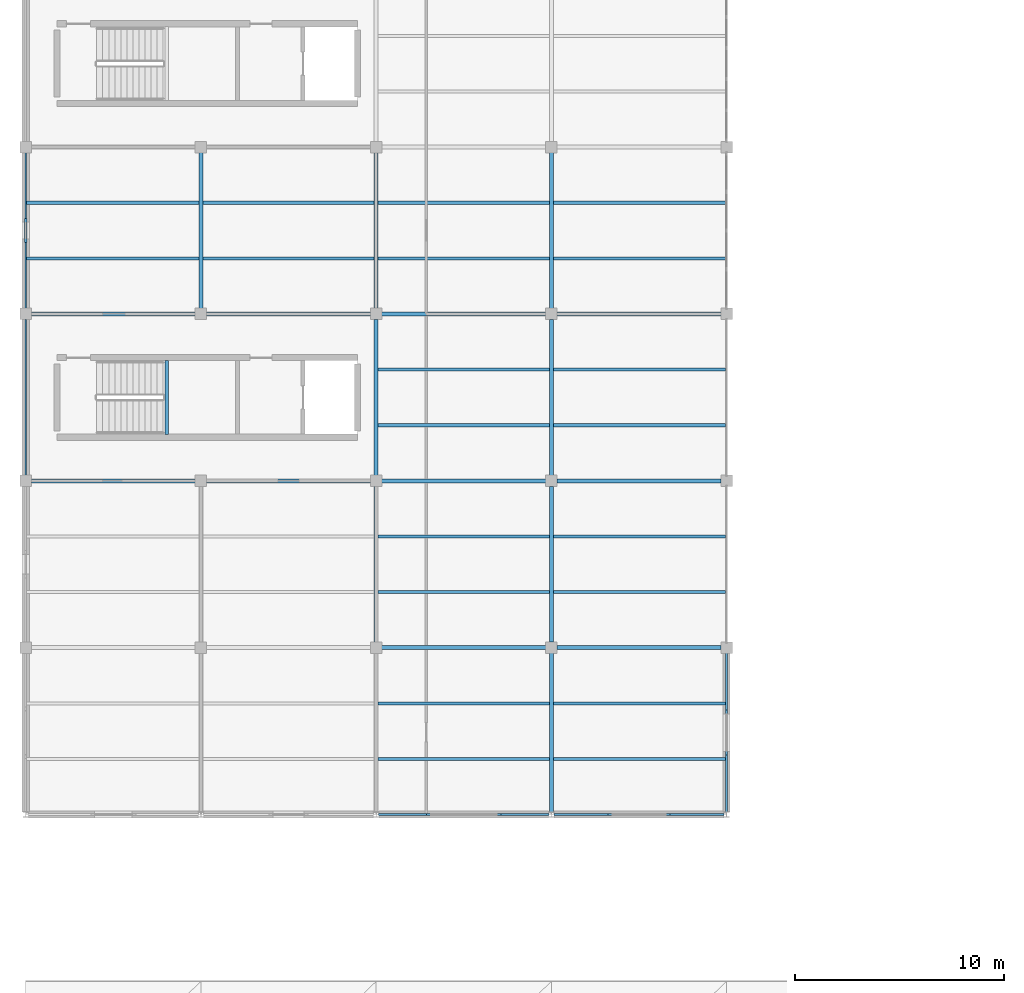
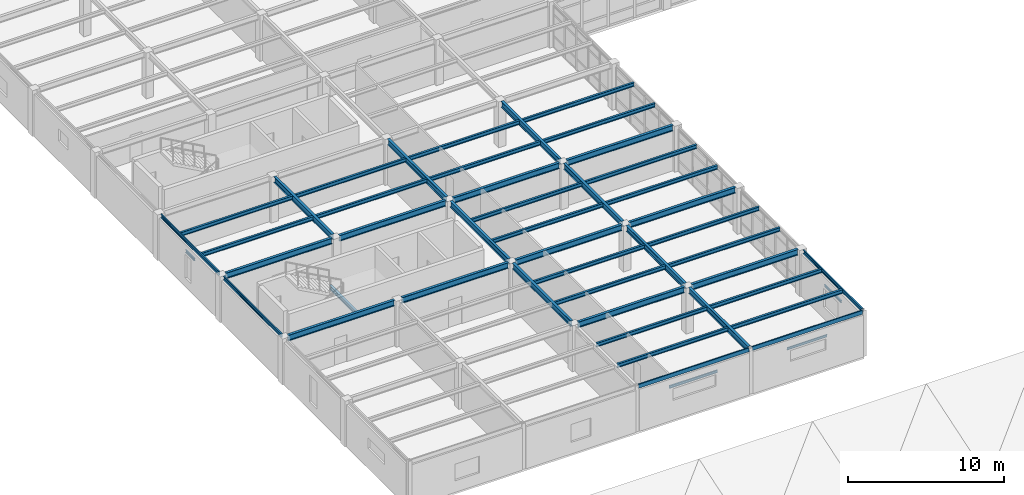
# One storey, part 13 of 53: 48 beams.
"""IFC4 building model written with IfcOpenShell, lengths in metres."""

from ifc_helpers import new_model, si_unit, direction, frame, origin, origin_2d, place, context, subcontext, project, spatial, i_section, u_section, extrude, material, material_profile, profile_set, type_object, element, save


model = new_model("IFC4")

# Units and contexts
model_context = context("Model", 3, precision=1e-05, world=origin(), true_north=direction((0.0, 1.0)))
body_context = subcontext(model_context, "Body", "Model", "MODEL_VIEW")
ifc_project = project(units=[si_unit("LENGTHUNIT", "METRE"), si_unit("AREAUNIT", "SQUARE_METRE"), si_unit("VOLUMEUNIT", "CUBIC_METRE"), si_unit("PLANEANGLEUNIT", "RADIAN"), si_unit("MASSUNIT", "GRAM", prefix="KILO")], contexts=[model_context])

# Site, building, storey
site_placement = place(None, origin())
site = spatial("IfcSite", under=ifc_project, at=site_placement, CompositionType="ELEMENT")
building_placement = place(site_placement, origin())
building = spatial("IfcBuilding", under=site, at=building_placement, Name="Kranzveld Transit Interchange", CompositionType="ELEMENT")
storey_placement = place(building_placement, frame((0.0, 0.0, 13.360107421875)))
storey = spatial("IfcBuildingStorey", under=building, at=storey_placement, Name="L03", CompositionType="ELEMENT", Elevation=13.360107421875)

# Beams
ifc_material_1 = material(Name="Steel S355JR", Category="steel")
ifc_material_profile_1 = material_profile(ifc_material_1, i_section(OverallWidth=0.18994140625, OverallDepth=0.453369140625, WebThickness=0.008544921875, FlangeThickness=0.0126953125, FilletRadius=0.01025390625, at=origin_2d()), Name="UB 457x191x67")
ifc_profile_set_1 = profile_set([ifc_material_profile_1], Name="Steel S355JR")
beam_type_1 = type_object("IfcBeamType", Name="Beam Steel UB 457x191x67 S355JR", PredefinedType="BEAM", material=ifc_profile_set_1)
for number, where, z_axis, x_axis, name in (
    (1, (8.39990234375, 72.264892578125, 3.353271484375), (0.0, 1.0, 0.0), (-1.0, 0.0, 0.0), "L03 Girder 02/K-L"),
    (2, (16.800048828125, 56.264892578125, 3.353271484375), (0.0, 1.0, 0.0), (-1.0, 0.0, 0.0), "L03 Girder 03/H-J"),
    (3, (16.800048828125, 64.264892578125, 3.353271484375), (0.0, 1.0, 0.0), (-1.0, 0.0, 0.0), "L03 Girder 03/J-K"),
    (4, (16.800048828125, 72.264892578125, 3.353271484375), (0.0, 1.0, 0.0), (-1.0, 0.0, 0.0), "L03 Girder 03/K-L"),
):
    element("IfcBeam", number, at=place(storey_placement, frame(where, z_axis=z_axis, x_axis=x_axis)), inside=storey, type_object=beam_type_1, Name=name, PredefinedType="BEAM", context=body_context, shape_type="SweptSolid", body=[
        extrude(i_section(OverallWidth=0.18994140625, OverallDepth=0.453369140625, WebThickness=0.008544921875, FlangeThickness=0.0126953125, FilletRadius=0.01025390625, at=origin_2d()), origin(), (0.0, 0.0, 1.0), 7.47021484375),
    ])
beam_1_placement = place(storey_placement, frame((25.199951171875, 48.1201171875, 3.353271484375), z_axis=(0.0, 1.0, 0.0), x_axis=(-1.0, 0.0, 0.0)))
element("IfcBeam", 5, at=beam_1_placement, inside=storey, type_object=beam_type_1, Name="L03 Girder 04/G-H", PredefinedType="BEAM", context=body_context, shape_type="SweptSolid", body=[
    extrude(i_section(OverallWidth=0.18994140625, OverallDepth=0.453369140625, WebThickness=0.008544921875, FlangeThickness=0.0126953125, FilletRadius=0.01025390625, at=origin_2d()), origin(), (0.0, 0.0, 1.0), 7.614990234375),
])
for number, where, z_axis, x_axis, name in (
    (6, (25.199951171875, 56.264892578125, 3.353271484375), (0.0, 1.0, 0.0), (-1.0, 0.0, 0.0), "L03 Girder 04/H-J"),
    (7, (25.199951171875, 64.264892578125, 3.353271484375), (0.0, 1.0, 0.0), (-1.0, 0.0, 0.0), "L03 Girder 04/J-K"),
    (8, (25.199951171875, 72.264892578125, 3.353271484375), (0.0, 1.0, 0.0), (-1.0, 0.0, 0.0), "L03 Girder 04/K-L"),
):
    element("IfcBeam", number, at=place(storey_placement, frame(where, z_axis=z_axis, x_axis=x_axis)), inside=storey, type_object=beam_type_1, Name=name, PredefinedType="BEAM", context=body_context, shape_type="SweptSolid", body=[
        extrude(i_section(OverallWidth=0.18994140625, OverallDepth=0.453369140625, WebThickness=0.008544921875, FlangeThickness=0.0126953125, FilletRadius=0.01025390625, at=origin_2d()), origin(), (0.0, 0.0, 1.0), 7.47021484375),
    ])
ifc_material_2 = material(Name="Steel S355JR", Category="steel")
ifc_material_profile_2 = material_profile(ifc_material_2, i_section(OverallWidth=0.1904296875, OverallDepth=0.45703125, WebThickness=0.009033203125, FlangeThickness=0.014404296875, FilletRadius=0.01025390625, at=origin_2d()), Name="UB 457x191x74")
ifc_profile_set_2 = profile_set([ifc_material_profile_2], Name="Steel S355JR")
beam_type_2 = type_object("IfcBeamType", Name="Beam Steel UB 457x191x74 S355JR", PredefinedType="BEAM", material=ifc_profile_set_2)
beam_2_placement = place(storey_placement, frame((17.06494140625, 56.0, 3.351318359375), z_axis=(1.0, 0.0, 0.0), x_axis=(0.0, 1.0, 0.0)))
element("IfcBeam", 9, at=beam_2_placement, inside=storey, type_object=beam_type_2, Name="L03 Girder 03-04/H", PredefinedType="BEAM", context=body_context, shape_type="SweptSolid", body=[
    extrude(i_section(OverallWidth=0.1904296875, OverallDepth=0.45703125, WebThickness=0.009033203125, FlangeThickness=0.014404296875, FilletRadius=0.01025390625, at=origin_2d()), origin(), (0.0, 0.0, 1.0), 7.8701171875),
])
beam_3_placement = place(storey_placement, frame((25.465087890625, 56.0, 3.351318359375), z_axis=(1.0, 0.0, 0.0), x_axis=(0.0, 1.0, 0.0)))
element("IfcBeam", 10, at=beam_3_placement, inside=storey, type_object=beam_type_2, Name="L03 Girder 04-05/H", PredefinedType="BEAM", context=body_context, shape_type="SweptSolid", body=[
    extrude(i_section(OverallWidth=0.1904296875, OverallDepth=0.45703125, WebThickness=0.009033203125, FlangeThickness=0.014404296875, FilletRadius=0.01025390625, at=origin_2d()), origin(), (0.0, 0.0, 1.0), 7.869873046875),
])
beam_4_placement = place(storey_placement, frame((0.264892578125, 64.0, 3.351318359375), z_axis=(1.0, 0.0, 0.0), x_axis=(0.0, 1.0, 0.0)))
element("IfcBeam", 11, at=beam_4_placement, inside=storey, type_object=beam_type_2, Name="L03 Girder 01-02/J", PredefinedType="BEAM", context=body_context, shape_type="SweptSolid", body=[
    extrude(i_section(OverallWidth=0.1904296875, OverallDepth=0.45703125, WebThickness=0.009033203125, FlangeThickness=0.014404296875, FilletRadius=0.01025390625, at=origin_2d()), origin(), (0.0, 0.0, 1.0), 7.8701171875),
])
beam_5_placement = place(storey_placement, frame((8.6650390625, 64.0, 3.351318359375), z_axis=(1.0, 0.0, 0.0), x_axis=(0.0, 1.0, 0.0)))
element("IfcBeam", 12, at=beam_5_placement, inside=storey, type_object=beam_type_2, Name="L03 Girder 02-03/J", PredefinedType="BEAM", context=body_context, shape_type="SweptSolid", body=[
    extrude(i_section(OverallWidth=0.1904296875, OverallDepth=0.45703125, WebThickness=0.009033203125, FlangeThickness=0.014404296875, FilletRadius=0.01025390625, at=origin_2d()), origin(), (0.0, 0.0, 1.0), 7.869873046875),
])
beam_6_placement = place(storey_placement, frame((17.06494140625, 64.0, 3.351318359375), z_axis=(1.0, 0.0, 0.0), x_axis=(0.0, 1.0, 0.0)))
element("IfcBeam", 13, at=beam_6_placement, inside=storey, type_object=beam_type_2, Name="L03 Girder 03-04/J", PredefinedType="BEAM", context=body_context, shape_type="SweptSolid", body=[
    extrude(i_section(OverallWidth=0.1904296875, OverallDepth=0.45703125, WebThickness=0.009033203125, FlangeThickness=0.014404296875, FilletRadius=0.01025390625, at=origin_2d()), origin(), (0.0, 0.0, 1.0), 7.8701171875),
])
beam_7_placement = place(storey_placement, frame((25.465087890625, 64.0, 3.351318359375), z_axis=(1.0, 0.0, 0.0), x_axis=(0.0, 1.0, 0.0)))
element("IfcBeam", 14, at=beam_7_placement, inside=storey, type_object=beam_type_2, Name="L03 Girder 04-05/J", PredefinedType="BEAM", context=body_context, shape_type="SweptSolid", body=[
    extrude(i_section(OverallWidth=0.1904296875, OverallDepth=0.45703125, WebThickness=0.009033203125, FlangeThickness=0.014404296875, FilletRadius=0.01025390625, at=origin_2d()), origin(), (0.0, 0.0, 1.0), 7.869873046875),
])
beam_8_placement = place(storey_placement, frame((0.264892578125, 72.0, 3.351318359375), z_axis=(1.0, 0.0, 0.0), x_axis=(0.0, 1.0, 0.0)))
element("IfcBeam", 15, at=beam_8_placement, inside=storey, type_object=beam_type_2, Name="L03 Girder 01-02/K", PredefinedType="BEAM", context=body_context, shape_type="SweptSolid", body=[
    extrude(i_section(OverallWidth=0.1904296875, OverallDepth=0.45703125, WebThickness=0.009033203125, FlangeThickness=0.014404296875, FilletRadius=0.01025390625, at=origin_2d()), origin(), (0.0, 0.0, 1.0), 7.8701171875),
])
beam_9_placement = place(storey_placement, frame((8.6650390625, 72.0, 3.351318359375), z_axis=(1.0, 0.0, 0.0), x_axis=(0.0, 1.0, 0.0)))
element("IfcBeam", 16, at=beam_9_placement, inside=storey, type_object=beam_type_2, Name="L03 Girder 02-03/K", PredefinedType="BEAM", context=body_context, shape_type="SweptSolid", body=[
    extrude(i_section(OverallWidth=0.1904296875, OverallDepth=0.45703125, WebThickness=0.009033203125, FlangeThickness=0.014404296875, FilletRadius=0.01025390625, at=origin_2d()), origin(), (0.0, 0.0, 1.0), 7.869873046875),
])
beam_10_placement = place(storey_placement, frame((17.06494140625, 72.0, 3.351318359375), z_axis=(1.0, 0.0, 0.0), x_axis=(0.0, 1.0, 0.0)))
element("IfcBeam", 17, at=beam_10_placement, inside=storey, type_object=beam_type_2, Name="L03 Girder 03-04/K", PredefinedType="BEAM", context=body_context, shape_type="SweptSolid", body=[
    extrude(i_section(OverallWidth=0.1904296875, OverallDepth=0.45703125, WebThickness=0.009033203125, FlangeThickness=0.014404296875, FilletRadius=0.01025390625, at=origin_2d()), origin(), (0.0, 0.0, 1.0), 7.8701171875),
])
beam_11_placement = place(storey_placement, frame((25.465087890625, 72.0, 3.351318359375), z_axis=(1.0, 0.0, 0.0), x_axis=(0.0, 1.0, 0.0)))
element("IfcBeam", 18, at=beam_11_placement, inside=storey, type_object=beam_type_2, Name="L03 Girder 04-05/K", PredefinedType="BEAM", context=body_context, shape_type="SweptSolid", body=[
    extrude(i_section(OverallWidth=0.1904296875, OverallDepth=0.45703125, WebThickness=0.009033203125, FlangeThickness=0.014404296875, FilletRadius=0.01025390625, at=origin_2d()), origin(), (0.0, 0.0, 1.0), 7.869873046875),
])
ifc_material_3 = material(Name="Steel S355JR", Category="steel")
ifc_material_profile_3 = material_profile(ifc_material_3, i_section(OverallWidth=0.14990234375, OverallDepth=0.300048828125, WebThickness=0.007080078125, FlangeThickness=0.0107421875, FilletRadius=0.014892578125, at=origin_2d()), Name="IPE 300")
ifc_profile_set_3 = profile_set([ifc_material_profile_3], Name="Steel S355JR")
beam_type_3 = type_object("IfcBeamType", Name="Deck Joist IPE 300 S355JR", PredefinedType="JOIST", material=ifc_profile_set_3)
for number, where, z_axis, x_axis, name in (
    (19, (0.047119140625, 74.666748046875, 3.429931640625), (1.0, 0.0, 0.0), (0.0, 1.0, 0.0), "L03 Secondary Joist 01-02/K.1"),
    (20, (0.047119140625, 77.333251953125, 3.429931640625), (1.0, 0.0, 0.0), (0.0, 1.0, 0.0), "L03 Secondary Joist 01-02/K.2"),
):
    element("IfcBeam", number, at=place(storey_placement, frame(where, z_axis=z_axis, x_axis=x_axis)), inside=storey, type_object=beam_type_3, Name=name, PredefinedType="JOIST", context=body_context, shape_type="SweptSolid", body=[
        extrude(i_section(OverallWidth=0.14990234375, OverallDepth=0.300048828125, WebThickness=0.007080078125, FlangeThickness=0.0107421875, FilletRadius=0.014892578125, at=origin_2d()), origin(), (0.0, 0.0, 1.0), 8.255859375),
    ])
for number, where, z_axis, x_axis, name in (
    (21, (8.4970703125, 74.666748046875, 3.429931640625), (1.0, 0.0, 0.0), (0.0, 1.0, 0.0), "L03 Secondary Joist 02-03/K.1"),
    (22, (8.4970703125, 77.333251953125, 3.429931640625), (1.0, 0.0, 0.0), (0.0, 1.0, 0.0), "L03 Secondary Joist 02-03/K.2"),
    (23, (16.89697265625, 50.666748046875, 3.429931640625), (1.0, 0.0, 0.0), (0.0, 1.0, 0.0), "L03 Secondary Joist 03-04/G.1"),
    (24, (16.89697265625, 53.333251953125, 3.429931640625), (1.0, 0.0, 0.0), (0.0, 1.0, 0.0), "L03 Secondary Joist 03-04/G.2"),
    (25, (16.89697265625, 58.666748046875, 3.429931640625), (1.0, 0.0, 0.0), (0.0, 1.0, 0.0), "L03 Secondary Joist 03-04/H.1"),
    (26, (16.89697265625, 61.333251953125, 3.429931640625), (1.0, 0.0, 0.0), (0.0, 1.0, 0.0), "L03 Secondary Joist 03-04/H.2"),
    (27, (16.89697265625, 66.666748046875, 3.429931640625), (1.0, 0.0, 0.0), (0.0, 1.0, 0.0), "L03 Secondary Joist 03-04/J.1"),
    (28, (16.89697265625, 69.333251953125, 3.429931640625), (1.0, 0.0, 0.0), (0.0, 1.0, 0.0), "L03 Secondary Joist 03-04/J.2"),
    (29, (16.89697265625, 74.666748046875, 3.429931640625), (1.0, 0.0, 0.0), (0.0, 1.0, 0.0), "L03 Secondary Joist 03-04/K.1"),
    (30, (16.89697265625, 77.333251953125, 3.429931640625), (1.0, 0.0, 0.0), (0.0, 1.0, 0.0), "L03 Secondary Joist 03-04/K.2"),
):
    element("IfcBeam", number, at=place(storey_placement, frame(where, z_axis=z_axis, x_axis=x_axis)), inside=storey, type_object=beam_type_3, Name=name, PredefinedType="JOIST", context=body_context, shape_type="SweptSolid", body=[
        extrude(i_section(OverallWidth=0.14990234375, OverallDepth=0.300048828125, WebThickness=0.007080078125, FlangeThickness=0.0107421875, FilletRadius=0.014892578125, at=origin_2d()), origin(), (0.0, 0.0, 1.0), 8.2060546875),
    ])
for number, where, z_axis, x_axis, name in (
    (31, (25.296875, 50.666748046875, 3.429931640625), (1.0, 0.0, 0.0), (0.0, 1.0, 0.0), "L03 Secondary Joist 04-05/G.1"),
    (32, (25.296875, 53.333251953125, 3.429931640625), (1.0, 0.0, 0.0), (0.0, 1.0, 0.0), "L03 Secondary Joist 04-05/G.2"),
    (33, (25.296875, 58.666748046875, 3.429931640625), (1.0, 0.0, 0.0), (0.0, 1.0, 0.0), "L03 Secondary Joist 04-05/H.1"),
    (34, (25.296875, 61.333251953125, 3.429931640625), (1.0, 0.0, 0.0), (0.0, 1.0, 0.0), "L03 Secondary Joist 04-05/H.2"),
    (35, (25.296875, 66.666748046875, 3.429931640625), (1.0, 0.0, 0.0), (0.0, 1.0, 0.0), "L03 Secondary Joist 04-05/J.1"),
    (36, (25.296875, 69.333251953125, 3.429931640625), (1.0, 0.0, 0.0), (0.0, 1.0, 0.0), "L03 Secondary Joist 04-05/J.2"),
    (37, (25.296875, 74.666748046875, 3.429931640625), (1.0, 0.0, 0.0), (0.0, 1.0, 0.0), "L03 Secondary Joist 04-05/K.1"),
    (38, (25.296875, 77.333251953125, 3.429931640625), (1.0, 0.0, 0.0), (0.0, 1.0, 0.0), "L03 Secondary Joist 04-05/K.2"),
):
    element("IfcBeam", number, at=place(storey_placement, frame(where, z_axis=z_axis, x_axis=x_axis)), inside=storey, type_object=beam_type_3, Name=name, PredefinedType="JOIST", context=body_context, shape_type="SweptSolid", body=[
        extrude(i_section(OverallWidth=0.14990234375, OverallDepth=0.300048828125, WebThickness=0.007080078125, FlangeThickness=0.0107421875, FilletRadius=0.014892578125, at=origin_2d()), origin(), (0.0, 0.0, 1.0), 8.256103515625),
    ])
ifc_material_4 = material(Name="Steel S355JR", Category="steel")
ifc_material_profile_4 = material_profile(ifc_material_4, u_section(Depth=0.300048828125, FlangeWidth=0.090087890625, WebThickness=0.009033203125, FlangeThickness=0.015380859375, FilletRadius=0.011962890625, at=origin_2d()), Name="PFC 300x90x41")
ifc_profile_set_4 = profile_set([ifc_material_profile_4], Name="Steel S355JR")
beam_type_4 = type_object("IfcBeamType", Name="Edge Spandrel PFC 300x90x41 S355JR", PredefinedType="SPANDREL", material=ifc_profile_set_4)
beam_12_placement = place(storey_placement, frame((16.918212890625, 48.0, 3.429931640625), z_axis=(1.0, 0.0, 0.0), x_axis=(0.0, 1.0, 0.0)))
element("IfcBeam", 39, at=beam_12_placement, inside=storey, type_object=beam_type_4, Name="L03 Girder 03-04/G", PredefinedType="SPANDREL", context=body_context, shape_type="SweptSolid", body=[
    extrude(u_section(Depth=0.300048828125, FlangeWidth=0.090087890625, WebThickness=0.009033203125, FlangeThickness=0.015380859375, FilletRadius=0.011962890625, at=origin_2d()), origin(), (0.0, 0.0, 1.0), 8.16357421875),
])
beam_13_placement = place(storey_placement, frame((25.318115234375, 48.0, 3.429931640625), z_axis=(1.0, 0.0, 0.0), x_axis=(0.0, 1.0, 0.0)))
element("IfcBeam", 40, at=beam_13_placement, inside=storey, type_object=beam_type_4, Name="L03 Girder 04-05/G", PredefinedType="SPANDREL", context=body_context, shape_type="SweptSolid", body=[
    extrude(u_section(Depth=0.300048828125, FlangeWidth=0.090087890625, WebThickness=0.009033203125, FlangeThickness=0.015380859375, FilletRadius=0.011962890625, at=origin_2d()), origin(), (0.0, 0.0, 1.0), 8.163818359375),
])
for number, where, z_axis, x_axis, name in (
    (41, (0.0, 64.264892578125, 3.429931640625), (0.0, 1.0, 0.0), (-1.0, 0.0, 0.0), "L03 Girder 01/J-K"),
    (42, (0.0, 72.264892578125, 3.429931640625), (0.0, 1.0, 0.0), (-1.0, 0.0, 0.0), "L03 Girder 01/K-L"),
):
    element("IfcBeam", number, at=place(storey_placement, frame(where, z_axis=z_axis, x_axis=x_axis)), inside=storey, type_object=beam_type_4, Name=name, PredefinedType="SPANDREL", context=body_context, shape_type="SweptSolid", body=[
        extrude(u_section(Depth=0.300048828125, FlangeWidth=0.090087890625, WebThickness=0.009033203125, FlangeThickness=0.015380859375, FilletRadius=0.011962890625, at=origin_2d()), origin(), (0.0, 0.0, 1.0), 7.47021484375),
    ])
beam_14_placement = place(storey_placement, frame((33.60009765625, 48.1201171875, 3.429931640625), z_axis=(0.0, 1.0, 0.0), x_axis=(-1.0, 0.0, 0.0)))
element("IfcBeam", 43, at=beam_14_placement, inside=storey, type_object=beam_type_4, Name="L03 Girder 05/G-H", PredefinedType="SPANDREL", context=body_context, shape_type="SweptSolid", body=[
    extrude(u_section(Depth=0.300048828125, FlangeWidth=0.090087890625, WebThickness=0.009033203125, FlangeThickness=0.015380859375, FilletRadius=0.011962890625, at=origin_2d()), origin(), (0.0, 0.0, 1.0), 7.614990234375),
])
ifc_material_5 = material(Name="Steel S355JR", Category="steel")
ifc_material_profile_5 = material_profile(ifc_material_5, i_section(OverallWidth=0.091064453125, OverallDepth=0.179931640625, WebThickness=0.00537109375, FlangeThickness=0.008056640625, FilletRadius=0.009033203125, at=origin_2d()), Name="IPE 180")
ifc_profile_set_5 = profile_set([ifc_material_profile_5], Name="Steel S355JR")
beam_type_5 = type_object("IfcBeamType", Name="Opening Lintel IPE 180 S355JR", PredefinedType="LINTEL", material=ifc_profile_set_5)
beam_15_placement = place(storey_placement, frame((33.60009765625, 50.84765625, 2.44482421875), z_axis=(0.0, 1.0, 0.0), x_axis=(-1.0, 0.0, 0.0)))
element("IfcBeam", 44, at=beam_15_placement, inside=storey, type_object=beam_type_5, Name="L03 Window Lintel 171", PredefinedType="LINTEL", context=body_context, shape_type="SweptSolid", body=[
    extrude(i_section(OverallWidth=0.091064453125, OverallDepth=0.179931640625, WebThickness=0.00537109375, FlangeThickness=0.008056640625, FilletRadius=0.009033203125, at=origin_2d()), origin(), (0.0, 0.0, 1.0), 2.159912109375),
])
beam_16_placement = place(storey_placement, frame((27.919921875, 48.0, 2.494873046875), z_axis=(1.0, 0.0, 0.0), x_axis=(0.0, 1.0, 0.0)))
element("IfcBeam", 45, at=beam_16_placement, inside=storey, type_object=beam_type_5, Name="L03 Window Lintel 175", PredefinedType="LINTEL", context=body_context, shape_type="SweptSolid", body=[
    extrude(i_section(OverallWidth=0.091064453125, OverallDepth=0.179931640625, WebThickness=0.00537109375, FlangeThickness=0.008056640625, FilletRadius=0.009033203125, at=origin_2d()), origin(), (0.0, 0.0, 1.0), 2.9599609375),
])
ifc_material_6 = material(Name="Steel S355JR", Category="steel")
ifc_material_profile_6 = material_profile(ifc_material_6, i_section(OverallWidth=0.10009765625, OverallDepth=0.199951171875, WebThickness=0.005615234375, FlangeThickness=0.008544921875, FilletRadius=0.011962890625, at=origin_2d()), Name="IPE 200")
ifc_profile_set_6 = profile_set([ifc_material_profile_6], Name="Steel S355JR")
beam_type_6 = type_object("IfcBeamType", Name="Opening Lintel IPE 200 S355JR", PredefinedType="LINTEL", material=ifc_profile_set_6)
beam_17_placement = place(storey_placement, frame((19.219970703125, 48.0, 2.554931640625), z_axis=(1.0, 0.0, 0.0), x_axis=(0.0, 1.0, 0.0)))
element("IfcBeam", 46, at=beam_17_placement, inside=storey, type_object=beam_type_6, Name="L03 Window Lintel 174", PredefinedType="LINTEL", context=body_context, shape_type="SweptSolid", body=[
    extrude(i_section(OverallWidth=0.10009765625, OverallDepth=0.199951171875, WebThickness=0.005615234375, FlangeThickness=0.008544921875, FilletRadius=0.011962890625, at=origin_2d()), origin(), (0.0, 0.0, 1.0), 3.56005859375),
])
beam_18_placement = place(storey_placement, frame((0.0, 75.419921875, 2.60498046875), z_axis=(0.0, 1.0, 0.0), x_axis=(-1.0, 0.0, 0.0)))
element("IfcBeam", 47, at=beam_18_placement, inside=storey, type_object=beam_type_6, Name="L03 Window Lintel 178", PredefinedType="LINTEL", context=body_context, shape_type="SweptSolid", body=[
    extrude(i_section(OverallWidth=0.10009765625, OverallDepth=0.199951171875, WebThickness=0.005615234375, FlangeThickness=0.008544921875, FilletRadius=0.011962890625, at=origin_2d()), origin(), (0.0, 0.0, 1.0), 1.16015625),
])
ifc_material_7 = material(Name="Steel S355JR", Category="steel")
ifc_material_profile_7 = material_profile(ifc_material_7, i_section(OverallWidth=0.165771484375, OverallDepth=0.306640625, WebThickness=0.006591796875, FlangeThickness=0.01171875, FilletRadius=0.0087890625, at=origin_2d()), Name="UB 305x165x46")
ifc_profile_set_7 = profile_set([ifc_material_profile_7], Name="Steel S355JR")
beam_type_7 = type_object("IfcBeamType", Name="Roof Joist UB 305x165x46 S355JR", PredefinedType="JOIST", material=ifc_profile_set_7)
beam_19_placement = place(storey_placement, frame((6.75, 66.22998046875, 1.566650390625), z_axis=(0.0, 1.0, 0.0), x_axis=(-1.0, 0.0, 0.0)))
element("IfcBeam", 48, at=beam_19_placement, inside=storey, type_object=beam_type_7, Name="L03 ST-C1 Half-Landing Support Beam", PredefinedType="BEAM", context=body_context, shape_type="SweptSolid", body=[
    extrude(i_section(OverallWidth=0.165771484375, OverallDepth=0.306640625, WebThickness=0.006591796875, FlangeThickness=0.01171875, FilletRadius=0.0087890625, at=origin_2d()), origin(), (0.0, 0.0, 1.0), 3.5400390625),
])

save(model, "model.ifc")
